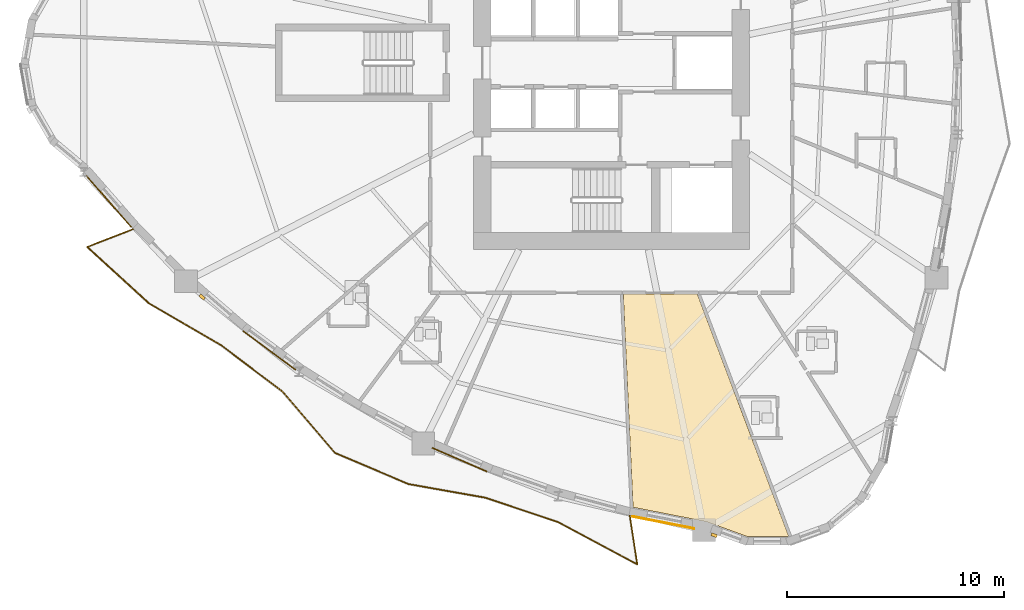
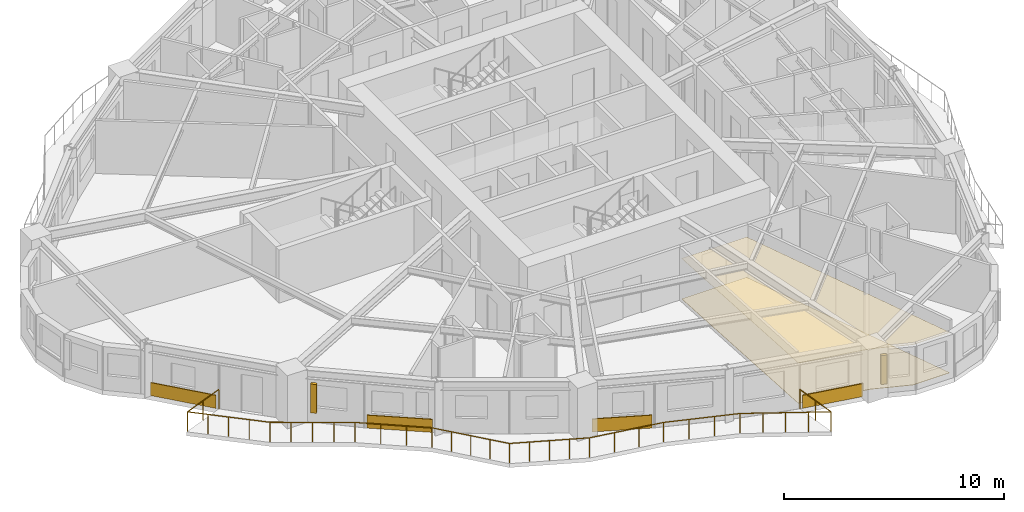
# One storey, part 11 of 14: 6 coverings, 2 shading devices, 1 railing.
"""IFC4 building model written with IfcOpenShell, lengths in metres."""

from ifc_helpers import new_model, si_unit, direction, frame, origin, origin_2d, place, context, subcontext, project, spatial, polyline, rectangle, circle, outline, extrude, source, transform, mapped, material, layer, layer_set, type_object, element, save


model = new_model("IFC4")

# Units and contexts
model_context = context("Model", 3, precision=1e-05, world=origin(), true_north=direction((0.0, 1.0)))
body_context = subcontext(model_context, "Body", "Model", "MODEL_VIEW")
ifc_project = project(units=[si_unit("LENGTHUNIT", "METRE"), si_unit("AREAUNIT", "SQUARE_METRE"), si_unit("VOLUMEUNIT", "CUBIC_METRE"), si_unit("PLANEANGLEUNIT", "RADIAN"), si_unit("MASSUNIT", "GRAM", prefix="KILO")], contexts=[model_context])

# Site, building, storey
site_placement = place(None, origin())
site = spatial("IfcSite", under=ifc_project, at=site_placement, CompositionType="ELEMENT")
building_placement = place(site_placement, origin())
building = spatial("IfcBuilding", under=site, at=building_placement, Name="Qafzar Sky-Pleat Residences", CompositionType="ELEMENT")
storey_placement = place(building_placement, frame((0.0, 0.0, 43.0)))
storey = spatial("IfcBuildingStorey", under=building, at=storey_placement, Name="L12", CompositionType="ELEMENT", Elevation=43.0)

# Coverings
ifc_material_1 = material(Name="Perforated acoustic gypsum board ceiling")
ifc_layer_1 = layer(ifc_material_1, 0.02001953125)
ifc_layer_set_1 = layer_set([ifc_layer_1], Name="Perforated acoustic gypsum board ceiling")
covering_type_1 = type_object("IfcCoveringType", Name="COV-CEIL-ACOUSTIC", PredefinedType="CEILING", material=ifc_layer_set_1)
covering_1_placement = place(storey_placement, frame((0.0, 0.0, 2.239990234375)))
element("IfcCovering", 1, at=covering_1_placement, inside=storey, type_object=covering_type_1, Name="L12 Co-Living Lounge Acoustic Ceiling", PredefinedType="CEILING", context=body_context, shape_type="SweptSolid", body=[
    extrude(outline(polyline([(38.4541015625, 4.203369140625), (36.580810546875, 4.203369140625), (34.72509765625, 4.87890625), (31.346923828125, 5.542724609375), (30.897216796875, 15.360107421875), (34.303955078125, 15.360107421875), (38.50927734375, 4.223388671875), (38.4541015625, 4.203369140625)])), origin(), (0.0, 0.0, 1.0), 0.02001953125),
])
ifc_material_2 = material(Name="Honed porcelain and Riyadh stone tile flooring", Category="masonry")
ifc_layer_2 = layer(ifc_material_2, 0.02001953125)
ifc_layer_set_2 = layer_set([ifc_layer_2], Name="Honed porcelain and Riyadh stone tile flooring")
covering_type_2 = type_object("IfcCoveringType", Name="COV-FLR-PORCELAIN", PredefinedType="FLOORING", material=ifc_layer_set_2)
covering_2_placement = place(storey_placement, origin())
element("IfcCovering", 2, at=covering_2_placement, inside=storey, type_object=covering_type_2, Name="L12 Co-Living Lounge Honed Stone Flooring", PredefinedType="FLOORING", context=body_context, shape_type="SweptSolid", body=[
    extrude(outline(polyline([(38.4541015625, 4.203369140625), (36.580810546875, 4.203369140625), (34.72509765625, 4.87890625), (31.346923828125, 5.542724609375), (30.897216796875, 15.360107421875), (34.303955078125, 15.360107421875), (38.50927734375, 4.223388671875), (38.4541015625, 4.203369140625)])), origin(), (0.0, 0.0, 1.0), 0.02001953125),
])

# Shading devices
ifc_material_3 = material(Name="Honed Riyadh limestone solar fin", Category="masonry")
ifc_layer_3 = layer(ifc_material_3, 0.139892578125)
ifc_layer_set_3 = layer_set([ifc_layer_3], Name="Honed Riyadh limestone solar fin")
shading_device_type = type_object("IfcShadingDeviceType", Name="SHD-FIN-STONE", PredefinedType="SHUTTER", material=ifc_layer_set_3)
shared_shape_1 = source(origin(), body_context, "Body", "SweptSolid", [
    extrude(rectangle(XDim=0.139892578125, YDim=0.280029296875, at=origin_2d()), origin(), (0.0, 0.0, 1.0), 1.60009765625),
])
for number, where, z_axis, x_axis, name in (
    (3, (11.516357421875, 15.2177734375, 0.599853515625), (0.0, 0.0, 1.0), (-0.652860043675, -0.757478556378, 0.0), "L12 Limestone Solar Fin 9"),
    (4, (35.080322265625, 4.254638671875, 0.599853515625), (0.0, 0.0, 1.0), (-0.342053959704, -0.939680311942, 0.0), "L12 Limestone Solar Fin 17"),
):
    element("IfcShadingDevice", number, at=place(storey_placement, frame(where, z_axis=z_axis, x_axis=x_axis)), inside=storey, type_object=shading_device_type, Name=name, PredefinedType="SHUTTER", context=body_context, shape_type="MappedRepresentation", body=[
        mapped(shared_shape_1, transform((0.0, 0.0, 0.0), x_axis=(1.0, 0.0, 0.0), y_axis=(0.0, 1.0, 0.0), z_axis=(0.0, 0.0, 1.0), scale=1.0)),
    ])

# Coverings
ifc_material_4 = material(Name="Honed Riyadh Tuwaiq limestone cladding", Category="masonry")
ifc_layer_4 = layer(ifc_material_4, 0.044921875)
ifc_layer_set_4 = layer_set([ifc_layer_4], Name="Honed Riyadh Tuwaiq limestone cladding")
covering_type_3 = type_object("IfcCoveringType", Name="COV-CLAD-STONE", PredefinedType="CLADDING", material=ifc_layer_set_4)
shared_shape_2 = source(origin(), body_context, "Body", "SweptSolid", [
    extrude(rectangle(XDim=2.750732421875, YDim=0.044921875, at=origin_2d()), origin(), (0.0, 0.0, 1.0), 0.719970703125),
])
covering_3_placement = place(storey_placement, frame((23.36083984375, 7.733154296875, 0.02001953125), z_axis=(0.0, 0.0, 1.0), x_axis=(0.917076298209, -0.398711754609, 0.0)))
element("IfcCovering", 5, at=covering_3_placement, inside=storey, type_object=covering_type_3, Name="L12 Riyadh Limestone Spandrel Cladding 13", PredefinedType="CLADDING", context=body_context, shape_type="MappedRepresentation", body=[
    mapped(shared_shape_2, transform((0.0, 0.0, 0.0), x_axis=(1.0, 0.0, 0.0), y_axis=(0.0, 1.0, 0.0), z_axis=(0.0, 0.0, 1.0), scale=1.0)),
])
shared_shape_3 = source(origin(), body_context, "Body", "SweptSolid", [
    extrude(rectangle(XDim=3.002685546875, YDim=0.044921875, at=origin_2d()), origin(), (0.0, 0.0, 1.0), 0.719970703125),
])
covering_4_placement = place(storey_placement, frame((14.612548828125, 12.765625, 0.02001953125), z_axis=(0.0, 0.0, 1.0), x_axis=(0.80380721377, -0.594889874759, 0.0)))
element("IfcCovering", 6, at=covering_4_placement, inside=storey, type_object=covering_type_3, Name="L12 Riyadh Limestone Spandrel Cladding 10", PredefinedType="CLADDING", context=body_context, shape_type="MappedRepresentation", body=[
    mapped(shared_shape_3, transform((0.0, 0.0, 0.0), x_axis=(1.0, 0.0, 0.0), y_axis=(0.0, 1.0, 0.0), z_axis=(0.0, 0.0, 1.0), scale=1.0)),
])

# Railing
ifc_material_5 = material(Name="Laminated glass and bronze steel balustrade", Category="steel")
railing_type = type_object("IfcRailingType", Name="RAIL-BAL-1100", PredefinedType="BALUSTRADE", material=ifc_material_5)
shared_shape_4 = source(origin(), body_context, "Body", "SweptSolid", [
    extrude(circle(Radius=0.02392578125, at=origin_2d()), frame((0.0, 0.0, 1.076171875), z_axis=(-0.93187749249, -0.362773123302, 0.0), x_axis=(0.362773123302, -0.93187749249, 0.0)), (0.0, 0.0, 1.0), 2.270751953125),
    extrude(circle(Radius=0.02392578125, at=origin_2d()), frame((-2.115966796875, -0.82373046875, 1.076171875), z_axis=(0.738061478164, -0.674733469194, 0.0), x_axis=(0.674733469194, 0.738061478164, 0.0)), (0.0, 0.0, 1.0), 3.828125),
    extrude(circle(Radius=0.02392578125, at=origin_2d()), frame((0.70947265625, -3.40673828125, 1.076171875), z_axis=(0.864034834145, -0.503432026577, 0.0), x_axis=(0.503432026577, 0.864034834145, 0.0)), (0.0, 0.0, 1.0), 3.873291015625),
    extrude(circle(Radius=0.02392578125, at=origin_2d()), frame((4.05615234375, -5.356689453125, 1.076171875), z_axis=(0.79850903917, -0.601982818994, 0.0), x_axis=(0.601982818994, 0.79850903917, 0.0)), (0.0, 0.0, 1.0), 3.523193359375),
    extrude(circle(Radius=0.02392578125, at=origin_2d()), frame((6.869384765625, -7.4775390625, 1.076171875), z_axis=(0.650483171252, -0.75952066721, 0.0), x_axis=(0.75952066721, 0.650483171252, 0.0)), (0.0, 0.0, 1.0), 3.718994140625),
    extrude(circle(Radius=0.02392578125, at=origin_2d()), frame((9.28857421875, -10.30224609375, 1.076171875), z_axis=(0.920642534408, -0.390406613466, 0.0), x_axis=(0.390406613466, 0.920642534408, 0.0)), (0.0, 0.0, 1.0), 3.677001953125),
    extrude(circle(Radius=0.02392578125, at=origin_2d()), frame((12.673828125, -11.73779296875, 1.076171875), z_axis=(0.984632373973, -0.174639881253, 0.0), x_axis=(0.174639881253, 0.984632373973, 0.0)), (0.0, 0.0, 1.0), 3.569091796875),
    extrude(circle(Radius=0.02392578125, at=origin_2d()), frame((16.18798828125, -12.361083984375, 1.076171875), z_axis=(0.948566262118, -0.316578657479, 0.0), x_axis=(0.316578657479, 0.948566262118, 0.0)), (0.0, 0.0, 1.0), 3.54833984375),
    extrude(circle(Radius=0.02392578125, at=origin_2d()), frame((19.5537109375, -13.484375, 1.076171875), z_axis=(0.881243003692, -0.472663483298, 0.0), x_axis=(0.472663483298, 0.881243003692, 0.0)), (0.0, 0.0, 1.0), 4.137451171875),
    extrude(circle(Radius=0.02392578125, at=origin_2d()), frame((23.19970703125, -15.43994140625, 1.076171875), z_axis=(-0.151798667183, 0.9884114349, 0.0), x_axis=(-0.9884114349, -0.151798667183, 0.0)), (0.0, 0.0, 1.0), 2.27099609375),
    extrude(circle(Radius=0.02099609375, at=origin_2d()), origin(), (0.0, 0.0, 1.0), 1.052001953125),
    extrude(circle(Radius=0.02099609375, at=origin_2d()), frame((-1.05810546875, -0.411865234375, 0.0)), (0.0, 0.0, 1.0), 1.052001953125),
    extrude(circle(Radius=0.02099609375, at=origin_2d()), frame((-2.115966796875, -0.82373046875, 0.0)), (0.0, 0.0, 1.0), 1.052001953125),
    extrude(circle(Radius=0.02099609375, at=origin_2d()), frame((-1.40966796875, -1.469482421875, 0.0)), (0.0, 0.0, 1.0), 1.052001953125),
    extrude(circle(Radius=0.02099609375, at=origin_2d()), frame((-0.703125, -2.115234375, 0.0)), (0.0, 0.0, 1.0), 1.052001953125),
    extrude(circle(Radius=0.02099609375, at=origin_2d()), frame((0.003173828125, -2.760986328125, 0.0)), (0.0, 0.0, 1.0), 1.052001953125),
    extrude(circle(Radius=0.02099609375, at=origin_2d()), frame((0.70947265625, -3.40673828125, 0.0)), (0.0, 0.0, 1.0), 1.052001953125),
    extrude(circle(Radius=0.02099609375, at=origin_2d()), frame((1.546142578125, -3.894287109375, 0.0)), (0.0, 0.0, 1.0), 1.052001953125),
    extrude(circle(Radius=0.02099609375, at=origin_2d()), frame((2.3828125, -4.3818359375, 0.0)), (0.0, 0.0, 1.0), 1.052001953125),
    extrude(circle(Radius=0.02099609375, at=origin_2d()), frame((3.219482421875, -4.869140625, 0.0)), (0.0, 0.0, 1.0), 1.052001953125),
    extrude(circle(Radius=0.02099609375, at=origin_2d()), frame((4.05615234375, -5.356689453125, 0.0)), (0.0, 0.0, 1.0), 1.052001953125),
    extrude(circle(Radius=0.02099609375, at=origin_2d()), frame((4.993896484375, -6.063720703125, 0.0)), (0.0, 0.0, 1.0), 1.052001953125),
    extrude(circle(Radius=0.02099609375, at=origin_2d()), frame((5.931640625, -6.7705078125, 0.0)), (0.0, 0.0, 1.0), 1.052001953125),
    extrude(circle(Radius=0.02099609375, at=origin_2d()), frame((6.869384765625, -7.4775390625, 0.0)), (0.0, 0.0, 1.0), 1.052001953125),
    extrude(circle(Radius=0.02099609375, at=origin_2d()), frame((7.47412109375, -8.18359375, 0.0)), (0.0, 0.0, 1.0), 1.052001953125),
    extrude(circle(Radius=0.02099609375, at=origin_2d()), frame((8.0791015625, -8.889892578125, 0.0)), (0.0, 0.0, 1.0), 1.052001953125),
    extrude(circle(Radius=0.02099609375, at=origin_2d()), frame((8.683837890625, -9.59619140625, 0.0)), (0.0, 0.0, 1.0), 1.052001953125),
    extrude(circle(Radius=0.02099609375, at=origin_2d()), frame((9.28857421875, -10.30224609375, 0.0)), (0.0, 0.0, 1.0), 1.052001953125),
    extrude(circle(Radius=0.02099609375, at=origin_2d()), frame((10.134765625, -10.6611328125, 0.0)), (0.0, 0.0, 1.0), 1.052001953125),
    extrude(circle(Radius=0.02099609375, at=origin_2d()), frame((10.981201171875, -11.02001953125, 0.0)), (0.0, 0.0, 1.0), 1.052001953125),
    extrude(circle(Radius=0.02099609375, at=origin_2d()), frame((11.82763671875, -11.37890625, 0.0)), (0.0, 0.0, 1.0), 1.052001953125),
    extrude(circle(Radius=0.02099609375, at=origin_2d()), frame((12.673828125, -11.73779296875, 0.0)), (0.0, 0.0, 1.0), 1.052001953125),
    extrude(circle(Radius=0.02099609375, at=origin_2d()), frame((13.84521484375, -11.945556640625, 0.0)), (0.0, 0.0, 1.0), 1.052001953125),
    extrude(circle(Radius=0.02099609375, at=origin_2d()), frame((15.0166015625, -12.1533203125, 0.0)), (0.0, 0.0, 1.0), 1.052001953125),
    extrude(circle(Radius=0.02099609375, at=origin_2d()), frame((16.18798828125, -12.361083984375, 0.0)), (0.0, 0.0, 1.0), 1.052001953125),
    extrude(circle(Radius=0.02099609375, at=origin_2d()), frame((17.309814453125, -12.735595703125, 0.0)), (0.0, 0.0, 1.0), 1.052001953125),
    extrude(circle(Radius=0.02099609375, at=origin_2d()), frame((18.431884765625, -13.10986328125, 0.0)), (0.0, 0.0, 1.0), 1.052001953125),
    extrude(circle(Radius=0.02099609375, at=origin_2d()), frame((19.5537109375, -13.484375, 0.0)), (0.0, 0.0, 1.0), 1.052001953125),
    extrude(circle(Radius=0.02099609375, at=origin_2d()), frame((20.46533203125, -13.97314453125, 0.0)), (0.0, 0.0, 1.0), 1.052001953125),
    extrude(circle(Radius=0.02099609375, at=origin_2d()), frame((21.376708984375, -14.462158203125, 0.0)), (0.0, 0.0, 1.0), 1.052001953125),
    extrude(circle(Radius=0.02099609375, at=origin_2d()), frame((22.2880859375, -14.951171875, 0.0)), (0.0, 0.0, 1.0), 1.052001953125),
    extrude(circle(Radius=0.02099609375, at=origin_2d()), frame((23.19970703125, -15.43994140625, 0.0)), (0.0, 0.0, 1.0), 1.052001953125),
    extrude(circle(Radius=0.02099609375, at=origin_2d()), frame((23.02734375, -14.317626953125, 0.0)), (0.0, 0.0, 1.0), 1.052001953125),
    extrude(circle(Radius=0.02099609375, at=origin_2d()), frame((22.85498046875, -13.1953125, 0.0)), (0.0, 0.0, 1.0), 1.052001953125),
])
railing_placement = place(storey_placement, frame((8.34521484375, 18.34765625, 0.0)))
element("IfcRailing", 7, at=railing_placement, inside=storey, type_object=railing_type, Name="L12 Pleated Balcony 3 Balustrade", PredefinedType="BALUSTRADE", context=body_context, shape_type="MappedRepresentation", body=[
    mapped(shared_shape_4, transform((0.0, 0.0, 0.0), x_axis=(1.0, 0.0, 0.0), y_axis=(0.0, 1.0, 0.0), z_axis=(0.0, 0.0, 1.0), scale=1.0)),
])

# Coverings
shared_shape_5 = source(origin(), body_context, "Body", "SweptSolid", [
    extrude(rectangle(XDim=3.152099609375, YDim=0.044921875, at=origin_2d()), origin(), (0.0, 0.0, 1.0), 0.719970703125),
])
covering_5_placement = place(storey_placement, frame((7.213134765625, 19.62841796875, 0.02001953125), z_axis=(0.0, 0.0, 1.0), x_axis=(0.657632958585, -0.753338497478, 0.0)))
element("IfcCovering", 8, at=covering_5_placement, inside=storey, type_object=covering_type_3, Name="L12 Riyadh Limestone Spandrel Cladding 7", PredefinedType="CLADDING", context=body_context, shape_type="MappedRepresentation", body=[
    mapped(shared_shape_5, transform((0.0, 0.0, 0.0), x_axis=(1.0, 0.0, 0.0), y_axis=(0.0, 1.0, 0.0), z_axis=(0.0, 0.0, 1.0), scale=1.0)),
])
shared_shape_6 = source(origin(), body_context, "Body", "SweptSolid", [
    extrude(rectangle(XDim=2.900146484375, YDim=0.044921875, at=origin_2d()), origin(), (0.0, 0.0, 1.0), 0.719970703125),
])
covering_6_placement = place(storey_placement, frame((32.738037109375, 4.839111328125, 0.02001953125), z_axis=(0.0, 0.0, 1.0), x_axis=(0.981236346143, -0.192808799094, 0.0)))
element("IfcCovering", 9, at=covering_6_placement, inside=storey, type_object=covering_type_3, Name="L12 Riyadh Limestone Spandrel Cladding 16", PredefinedType="CLADDING", context=body_context, shape_type="MappedRepresentation", body=[
    mapped(shared_shape_6, transform((0.0, 0.0, 0.0), x_axis=(1.0, 0.0, 0.0), y_axis=(0.0, 1.0, 0.0), z_axis=(0.0, 0.0, 1.0), scale=1.0)),
])

save(model, "model.ifc")
